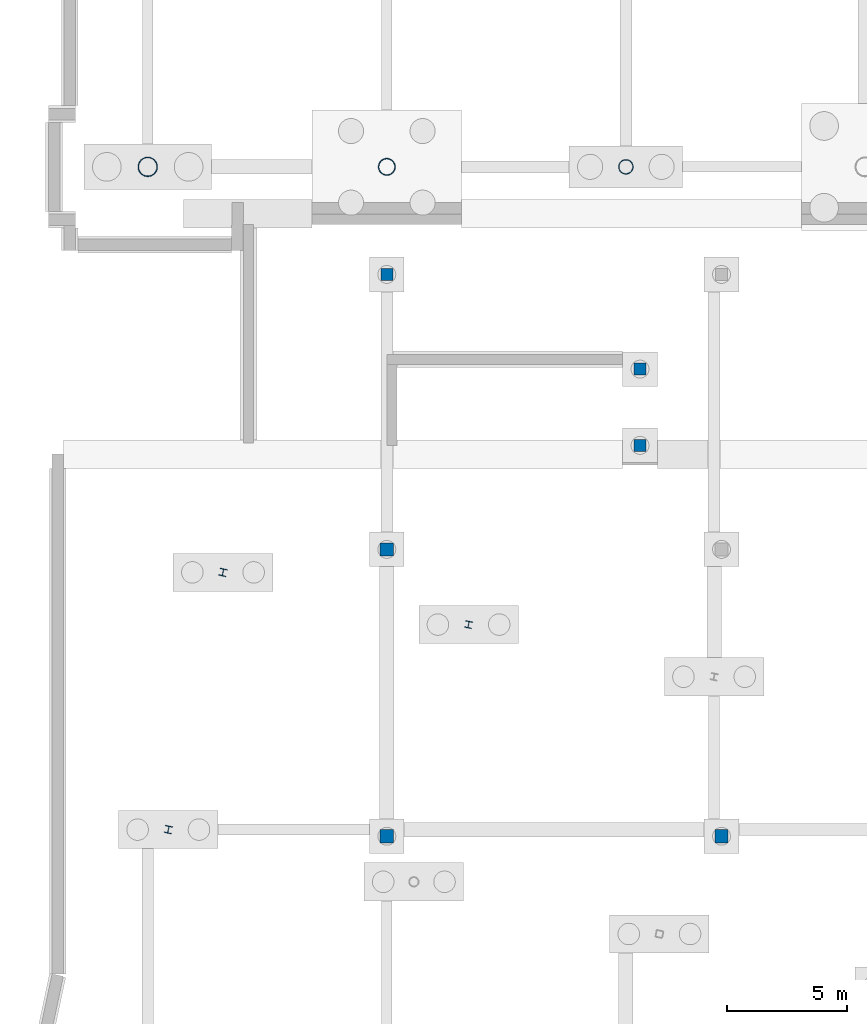
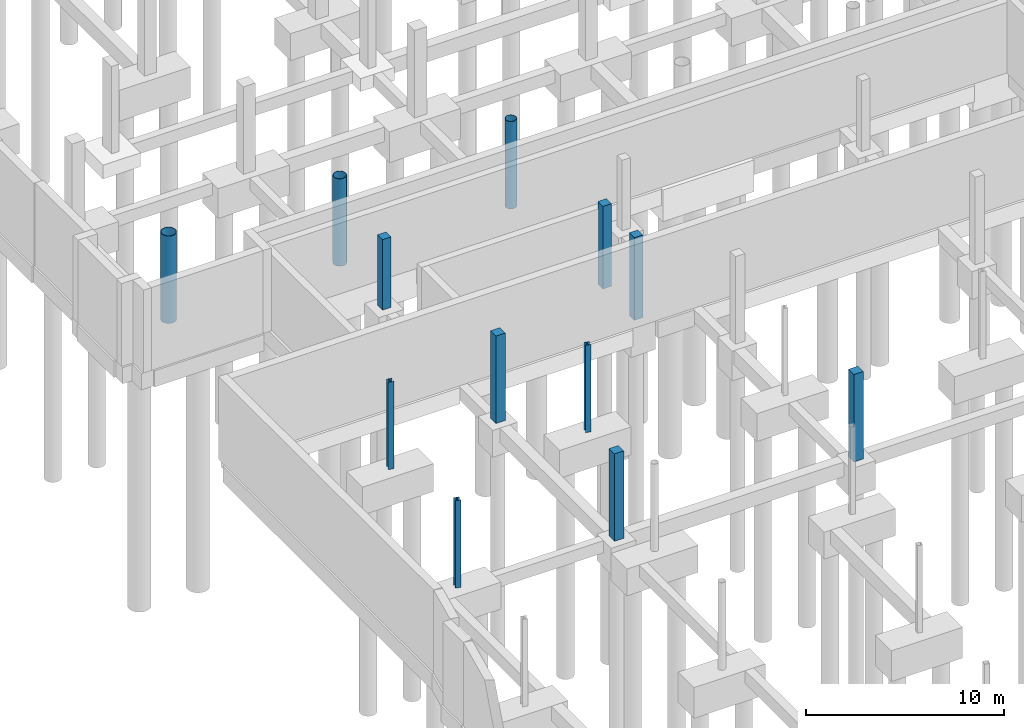
# One storey, part 27 of 65: 12 columns.
"""IFC4 building model written with IfcOpenShell, lengths in metres."""

from ifc_helpers import new_model, si_unit, direction, frame, origin, origin_2d, place, context, subcontext, project, spatial, rectangle, hollow_circle, i_section, extrude, material, material_profile, profile_set, type_object, element, save


model = new_model("IFC4")

# Units and contexts
model_context = context("Model", 3, precision=1e-05, world=origin(), true_north=direction((0.0, 1.0)))
body_context = subcontext(model_context, "Body", "Model", "MODEL_VIEW")
ifc_project = project(units=[si_unit("LENGTHUNIT", "METRE"), si_unit("AREAUNIT", "SQUARE_METRE"), si_unit("VOLUMEUNIT", "CUBIC_METRE"), si_unit("PLANEANGLEUNIT", "RADIAN"), si_unit("MASSUNIT", "GRAM", prefix="KILO")], contexts=[model_context])

# Site, building, storey
site_placement = place(None, origin())
site = spatial("IfcSite", under=ifc_project, at=site_placement, CompositionType="ELEMENT")
building_placement = place(site_placement, origin())
building = spatial("IfcBuilding", under=site, at=building_placement, Name="Khorjan Park Terminus", CompositionType="ELEMENT")
storey_placement = place(building_placement, frame((0.0, 0.0, -5.4)))
storey = spatial("IfcBuildingStorey", under=building, at=storey_placement, Name="B1", CompositionType="ELEMENT", Elevation=-5.4)

# Columns
ifc_material_1 = material(Name="Steel S355", Category="steel")
ifc_material_profile_1 = material_profile(ifc_material_1, i_section(OverallWidth=0.28, OverallDepth=0.28, WebThickness=0.0105, FlangeThickness=0.018, FilletRadius=0.024, at=origin_2d()), Name="HEB 280")
ifc_profile_set_1 = profile_set([ifc_material_profile_1], Name="Steel S355")
column_type_1 = type_object("IfcColumnType", Name="COL-HB280E", PredefinedType="COLUMN", material=ifc_profile_set_1)
column_1_placement = place(storey_placement, frame((13.419, 82.855, 0.0), z_axis=(0.0, 0.0, 1.0), x_axis=(0.978147600734, -0.207911690818, 0.0)))
element("IfcColumn", 1, at=column_1_placement, inside=storey, type_object=column_type_1, Name="Structural column SC-H28 (B1 #622)", PredefinedType="COLUMN", context=body_context, shape_type="SweptSolid", body=[
    extrude(i_section(OverallWidth=0.28, OverallDepth=0.28, WebThickness=0.0105, FlangeThickness=0.018, FilletRadius=0.024, at=origin_2d()), origin(), (0.0, 0.0, 1.0), 5.4),
])
ifc_material_profile_2 = material_profile(ifc_material_1, i_section(OverallWidth=0.3, OverallDepth=0.3, WebThickness=0.011, FlangeThickness=0.019, FilletRadius=0.027, at=origin_2d()), Name="HEB 300")
ifc_profile_set_2 = profile_set([ifc_material_profile_2], Name="Steel S355")
column_type_2 = type_object("IfcColumnType", Name="COL-HB300E", PredefinedType="COLUMN", material=ifc_profile_set_2)
for number, where, z_axis, x_axis, name in (
    (2, (0.861, 74.279, 0.0), (0.0, 0.0, 1.0), (0.978147600734, -0.207911690818, 0.0), "Structural column SC-H30 (B1 #605)"),
    (3, (3.148, 85.038, 0.0), (0.0, 0.0, 1.0), (0.978147600734, -0.207911690818, 0.0), "Structural column SC-H30 (B1 #608)"),
):
    element("IfcColumn", number, at=place(storey_placement, frame(where, z_axis=z_axis, x_axis=x_axis)), inside=storey, type_object=column_type_2, Name=name, PredefinedType="COLUMN", context=body_context, shape_type="SweptSolid", body=[
        extrude(i_section(OverallWidth=0.3, OverallDepth=0.3, WebThickness=0.011, FlangeThickness=0.019, FilletRadius=0.027, at=origin_2d()), origin(), (0.0, 0.0, 1.0), 5.4),
    ])
ifc_material_2 = material(Name="Concrete C40/50", Category="concrete")
ifc_material_profile_3 = material_profile(ifc_material_2, rectangle(XDim=0.5, YDim=0.5, at=origin_2d()), Name="RC 500x500")
ifc_profile_set_3 = profile_set([ifc_material_profile_3], Name="Concrete C40/50")
column_type_3 = type_object("IfcColumnType", Name="COL-RC500", PredefinedType="COLUMN", material=ifc_profile_set_3)
for number, where, z_axis, x_axis, name in (
    (4, (20.59, 93.54, 0.0), (0.0, 0.0, 1.0), (1.0, 0.0, 0.0), "Structural column C-RC05 (B1 #536)"),
    (5, (20.59, 90.35, 0.0), (0.0, 0.0, 1.0), (1.0, 0.0, 0.0), "Structural column C-RC05 (B1 #537)"),
):
    element("IfcColumn", number, at=place(storey_placement, frame(where, z_axis=z_axis, x_axis=x_axis)), inside=storey, type_object=column_type_3, Name=name, PredefinedType="COLUMN", context=body_context, shape_type="SweptSolid", body=[
        extrude(rectangle(XDim=0.5, YDim=0.5, at=origin_2d()), origin(), (0.0, 0.0, 1.0), 5.11),
    ])
column_2_placement = place(storey_placement, frame((10.0, 97.5, 0.0), z_axis=(0.0, 0.0, 1.0), x_axis=(1.0, 0.0, 0.0)))
element("IfcColumn", 6, at=column_2_placement, inside=storey, type_object=column_type_3, Name="Structural column C-RC05 (B1 #979)", PredefinedType="COLUMN", context=body_context, shape_type="SweptSolid", body=[
    extrude(rectangle(XDim=0.5, YDim=0.5, at=origin_2d()), origin(), (0.0, 0.0, 1.0), 4.36),
])
ifc_material_profile_4 = material_profile(ifc_material_2, rectangle(XDim=0.55, YDim=0.55, at=origin_2d()), Name="RC 550x550")
ifc_profile_set_4 = profile_set([ifc_material_profile_4], Name="Concrete C40/50")
column_type_4 = type_object("IfcColumnType", Name="COL-RC550", PredefinedType="COLUMN", material=ifc_profile_set_4)
for number, where, z_axis, x_axis, name in (
    (7, (10.0, 74.0, 0.0), (0.0, 0.0, 1.0), (1.0, 0.0, 0.0), "Structural column C-RC55 (B1 #977)"),
    (8, (10.0, 86.0, 0.0), (0.0, 0.0, 1.0), (1.0, 0.0, 0.0), "Structural column C-RC55 (B1 #978)"),
    (9, (24.0, 74.0, 0.0), (0.0, 0.0, 1.0), (1.0, 0.0, 0.0), "Structural column C-RC55 (B1 #980)"),
):
    element("IfcColumn", number, at=place(storey_placement, frame(where, z_axis=z_axis, x_axis=x_axis)), inside=storey, type_object=column_type_4, Name=name, PredefinedType="COLUMN", context=body_context, shape_type="SweptSolid", body=[
        extrude(rectangle(XDim=0.55, YDim=0.55, at=origin_2d()), origin(), (0.0, 0.0, 1.0), 5.4),
    ])
ifc_material_profile_5 = material_profile(ifc_material_1, hollow_circle(Radius=0.305, WallThickness=0.02, at=origin_2d()), Name="CHS 610x20")
ifc_profile_set_5 = profile_set([ifc_material_profile_5], Name="Steel S355")
column_type_5 = type_object("IfcColumnType", Name="COL-SH610E", PredefinedType="COLUMN", material=ifc_profile_set_5)
column_3_placement = place(storey_placement, frame((20.0, 102.0, 0.0), z_axis=(0.0, 0.0, 1.0), x_axis=(1.0, 0.0, 0.0)))
element("IfcColumn", 10, at=column_3_placement, inside=storey, type_object=column_type_5, Name="Structural column SC-61 (B1 #25)", PredefinedType="COLUMN", context=body_context, shape_type="SweptSolid", body=[
    extrude(hollow_circle(Radius=0.305, WallThickness=0.02, at=origin_2d()), origin(), (0.0, 0.0, 1.0), 5.4),
])
ifc_material_profile_6 = material_profile(ifc_material_1, hollow_circle(Radius=0.3555, WallThickness=0.025, at=origin_2d()), Name="CHS 711x25")
ifc_profile_set_6 = profile_set([ifc_material_profile_6], Name="Steel S355")
column_type_6 = type_object("IfcColumnType", Name="COL-SH711E", PredefinedType="COLUMN", material=ifc_profile_set_6)
column_4_placement = place(storey_placement, frame((10.0, 102.0, 0.0), z_axis=(0.0, 0.0, 1.0), x_axis=(1.0, 0.0, 0.0)))
element("IfcColumn", 11, at=column_4_placement, inside=storey, type_object=column_type_6, Name="Structural column SC-71 (B1 #13)", PredefinedType="COLUMN", context=body_context, shape_type="SweptSolid", body=[
    extrude(hollow_circle(Radius=0.3555, WallThickness=0.025, at=origin_2d()), origin(), (0.0, 0.0, 1.0), 5.4),
])
ifc_material_profile_7 = material_profile(ifc_material_1, hollow_circle(Radius=0.4065, WallThickness=0.025, at=origin_2d()), Name="CHS 813x25")
ifc_profile_set_7 = profile_set([ifc_material_profile_7], Name="Steel S355")
column_type_7 = type_object("IfcColumnType", Name="COL-SH813E", PredefinedType="COLUMN", material=ifc_profile_set_7)
column_5_placement = place(storey_placement, frame((0.0, 102.0, 0.0), z_axis=(0.0, 0.0, 1.0), x_axis=(1.0, 0.0, 0.0)))
element("IfcColumn", 12, at=column_5_placement, inside=storey, type_object=column_type_7, Name="Structural column SC-81 (B1 #1)", PredefinedType="COLUMN", context=body_context, shape_type="SweptSolid", body=[
    extrude(hollow_circle(Radius=0.4065, WallThickness=0.025, at=origin_2d()), origin(), (0.0, 0.0, 1.0), 5.4),
])

save(model, "model.ifc")
